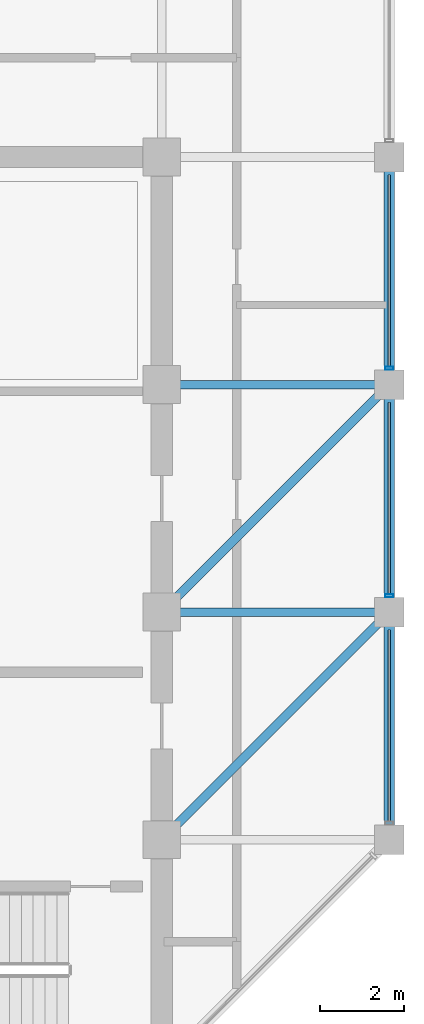
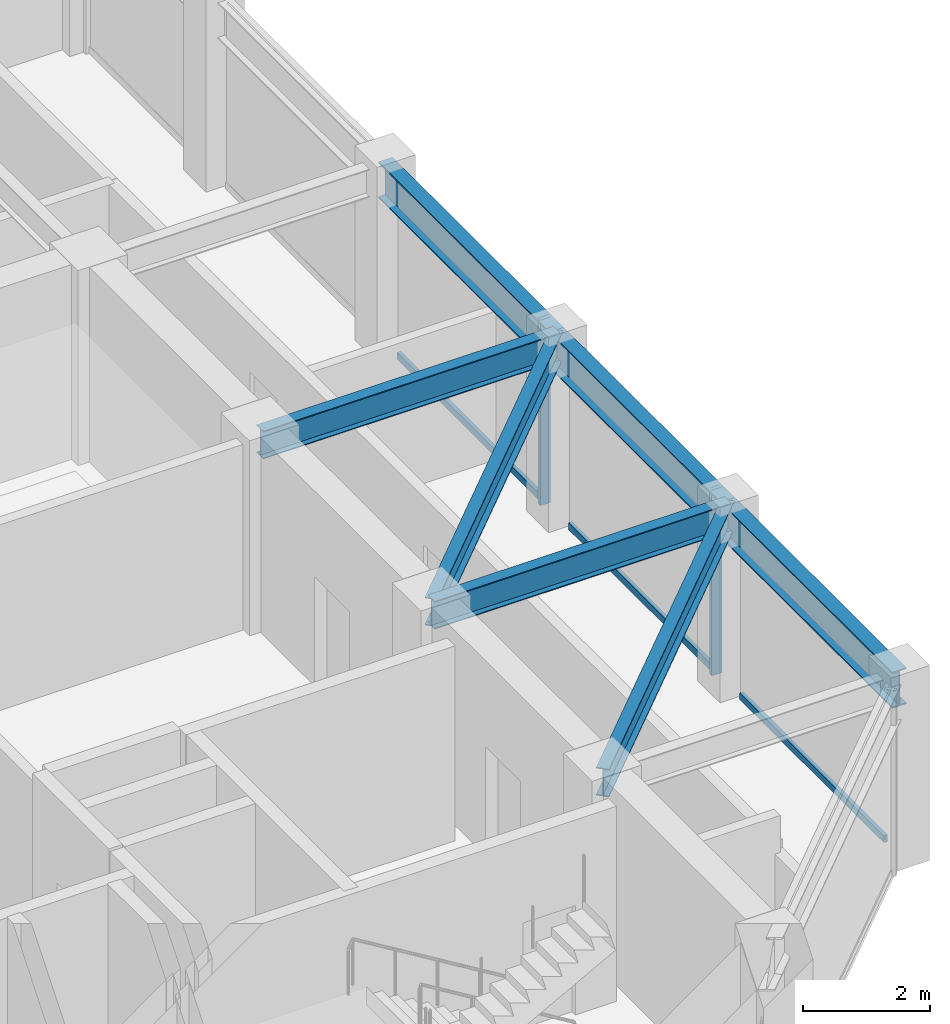
# One storey, part 13 of 30: 7 beams, 5 members, 1 element without a shape of its own.
"""IFC4 building model written with IfcOpenShell, lengths in metres."""

from ifc_helpers import new_model, si_unit, direction, frame, origin, origin_2d, place, context, subcontext, project, spatial, hollow_rectangle, i_section, extrude, material, layer, layer_set, material_profile, profile_set, type_object, element, aggregate, save


model = new_model("IFC4")

# Units and contexts
model_context = context("Model", 3, precision=1e-05, world=origin(), true_north=direction((0.0, 1.0)))
body_context = subcontext(model_context, "Body", "Model", "MODEL_VIEW")
ifc_project = project(units=[si_unit("LENGTHUNIT", "METRE"), si_unit("AREAUNIT", "SQUARE_METRE"), si_unit("VOLUMEUNIT", "CUBIC_METRE"), si_unit("PLANEANGLEUNIT", "RADIAN"), si_unit("MASSUNIT", "GRAM", prefix="KILO")], contexts=[model_context])

# Site, building, storey
site_placement = place(None, origin())
site = spatial("IfcSite", under=ifc_project, at=site_placement, CompositionType="ELEMENT")
building_placement = place(site_placement, origin())
building = spatial("IfcBuilding", under=site, at=building_placement, Name="Surkhivell Harbour Commons", CompositionType="ELEMENT")
storey_placement = place(building_placement, frame((0.0, 0.0, 296.25)))
storey = spatial("IfcBuildingStorey", under=building, at=storey_placement, Name="L77", CompositionType="ELEMENT", Elevation=296.25)

# Beams
ifc_material_1 = material(Name="Steel S355", Category="steel")
ifc_material_profile_1 = material_profile(ifc_material_1, i_section(OverallWidth=0.2099609375, OverallDepth=0.537109375, WebThickness=0.0107421875, FlangeThickness=0.017333984375, at=origin_2d()), Name="UB533x210x101")
ifc_profile_set_1 = profile_set([ifc_material_profile_1], Name="Steel S355")
beam_type_1 = type_object("IfcBeamType", Name="BM-GRD-533B", PredefinedType="BEAM", material=ifc_profile_set_1)
beam_1_placement = place(storey_placement, frame((10.800048828125, -5.39990234375, 3.301513671875), z_axis=(0.707106781187, 0.707106781187, 0.0), x_axis=(-0.707106781187, 0.707106781187, 0.0)))
element("IfcBeam", 1, at=beam_1_placement, inside=storey, type_object=beam_type_1, Name="L77 Floor Girder (10.8,-5.4)", PredefinedType="BEAM", context=body_context, shape_type="SweptSolid", body=[
    extrude(i_section(OverallWidth=0.2099609375, OverallDepth=0.537109375, WebThickness=0.0107421875, FlangeThickness=0.017333984375, at=origin_2d()), origin(), (0.0, 0.0, 1.0), 7.63671875),
])
beam_2_placement = place(storey_placement, frame((10.800048828125, 0.0, 3.301513671875), z_axis=(1.0, 0.0, 0.0), x_axis=(0.0, 1.0, 0.0)))
element("IfcBeam", 2, at=beam_2_placement, inside=storey, type_object=beam_type_1, Name="L77 Floor Girder (10.8,0.0)", PredefinedType="BEAM", context=body_context, shape_type="SweptSolid", body=[
    extrude(i_section(OverallWidth=0.2099609375, OverallDepth=0.537109375, WebThickness=0.0107421875, FlangeThickness=0.017333984375, at=origin_2d()), origin(), (0.0, 0.0, 1.0), 5.39990234375),
])
beam_3_placement = place(storey_placement, frame((10.800048828125, 0.0, 3.301513671875), z_axis=(0.707106781187, 0.707106781187, 0.0), x_axis=(-0.707106781187, 0.707106781187, 0.0)))
element("IfcBeam", 3, at=beam_3_placement, inside=storey, type_object=beam_type_1, Name="L77 Floor Girder (10.8,0.0)", PredefinedType="BEAM", context=body_context, shape_type="SweptSolid", body=[
    extrude(i_section(OverallWidth=0.2099609375, OverallDepth=0.537109375, WebThickness=0.0107421875, FlangeThickness=0.017333984375, at=origin_2d()), origin(), (0.0, 0.0, 1.0), 7.63671875),
])
beam_4_placement = place(storey_placement, frame((10.800048828125, 5.39990234375, 3.301513671875), z_axis=(1.0, 0.0, 0.0), x_axis=(0.0, 1.0, 0.0)))
element("IfcBeam", 4, at=beam_4_placement, inside=storey, type_object=beam_type_1, Name="L77 Floor Girder (10.8,5.4)", PredefinedType="BEAM", context=body_context, shape_type="SweptSolid", body=[
    extrude(i_section(OverallWidth=0.2099609375, OverallDepth=0.537109375, WebThickness=0.0107421875, FlangeThickness=0.017333984375, at=origin_2d()), origin(), (0.0, 0.0, 1.0), 5.39990234375),
])
ifc_material_profile_2 = material_profile(ifc_material_1, i_section(OverallWidth=0.256103515625, OverallDepth=0.693115234375, WebThickness=0.014404296875, FlangeThickness=0.023681640625, at=origin_2d()), Name="UB686x254x170")
ifc_profile_set_2 = profile_set([ifc_material_profile_2], Name="Steel S355")
beam_type_2 = type_object("IfcBeamType", Name="BM-SPN-686", PredefinedType="SPANDREL", material=ifc_profile_set_2)
for number, where, z_axis, x_axis, name in (
    (5, (16.199951171875, -5.39990234375, 3.223388671875), (0.0, 1.0, 0.0), (-1.0, 0.0, 0.0), "L77 Tube Spandrel (16.2,-5.4)"),
    (6, (16.199951171875, 0.0, 3.223388671875), (0.0, 1.0, 0.0), (-1.0, 0.0, 0.0), "L77 Tube Spandrel (16.2,0.0)"),
):
    element("IfcBeam", number, at=place(storey_placement, frame(where, z_axis=z_axis, x_axis=x_axis)), inside=storey, type_object=beam_type_2, Name=name, PredefinedType="SPANDREL", context=body_context, shape_type="SweptSolid", body=[
        extrude(i_section(OverallWidth=0.256103515625, OverallDepth=0.693115234375, WebThickness=0.014404296875, FlangeThickness=0.023681640625, at=origin_2d()), origin(), (0.0, 0.0, 1.0), 5.39990234375),
    ])
beam_5_placement = place(storey_placement, frame((16.199951171875, 5.39990234375, 3.223388671875), z_axis=(0.0, 1.0, 0.0), x_axis=(-1.0, 0.0, 0.0)))
element("IfcBeam", 7, at=beam_5_placement, inside=storey, type_object=beam_type_2, Name="L77 Tube Spandrel (16.2,5.4)", PredefinedType="SPANDREL", context=body_context, shape_type="SweptSolid", body=[
    extrude(i_section(OverallWidth=0.256103515625, OverallDepth=0.693115234375, WebThickness=0.014404296875, FlangeThickness=0.023681640625, at=origin_2d()), origin(), (0.0, 0.0, 1.0), 5.400146484375),
])

# Curtain wall, members
ifc_material_2 = material(Name="Anodised pale-metal aluminium and insulated glazing", Category="aluminium")
ifc_layer = layer(ifc_material_2, 0.175048828125)
ifc_layer_set = layer_set([ifc_layer], Name="Anodised pale-metal aluminium and insulated glazing")
curtain_wall_type = type_object("IfcCurtainWallType", Name="CW-SYS-Z4", PredefinedType="NOTDEFINED", material=ifc_layer_set)
curtain_wall_placement = place(storey_placement, origin())
curtain_wall = element("IfcCurtainWall", 8, at=curtain_wall_placement, inside=storey, type_object=curtain_wall_type, Name="L77 Curtain Wall CW-L77-E02", PredefinedType="NOTDEFINED")
ifc_material_3 = material(Name="Anodised pale-metal aluminium alloy 6063-T6", Category="aluminium")
ifc_material_profile_3 = material_profile(ifc_material_3, hollow_rectangle(XDim=0.074951171875, YDim=0.18994140625, WallThickness=0.00390625, at=origin_2d()), Name="ALU-MULL-75x190")
ifc_profile_set_3 = profile_set([ifc_material_profile_3], Name="Anodised pale-metal aluminium alloy 6063-T6")
member_type_1 = type_object("IfcMemberType", Name="CWM-190", PredefinedType="MULLION", material=ifc_profile_set_3)
member_1_placement = place(storey_placement, frame((16.199951171875, 0.389404296875, 0.0), z_axis=(0.0, 0.0, 1.0), x_axis=(0.0, 1.0, 0.0)))
member_1 = element("IfcMember", 9, at=member_1_placement, type_object=member_type_1, Name="CW-Z4 mullion 2", PredefinedType="MULLION", context=body_context, shape_type="SweptSolid", body=[
    extrude(hollow_rectangle(XDim=0.074951171875, YDim=0.18994140625, WallThickness=0.00390625, at=origin_2d()), origin(), (0.0, 0.0, 1.0), 3.570068359375),
])
member_2_placement = place(storey_placement, frame((16.199951171875, 5.78955078125, 0.0), z_axis=(0.0, 0.0, 1.0), x_axis=(0.0, 1.0, 0.0)))
member_2 = element("IfcMember", 10, at=member_2_placement, type_object=member_type_1, Name="CW-Z4 mullion 3", PredefinedType="MULLION", context=body_context, shape_type="SweptSolid", body=[
    extrude(hollow_rectangle(XDim=0.074951171875, YDim=0.18994140625, WallThickness=0.00390625, at=origin_2d()), origin(), (0.0, 0.0, 1.0), 3.570068359375),
])
ifc_material_4 = material(Name="Champagne anodised aluminium alloy 6063-T6", Category="aluminium")
ifc_material_profile_4 = material_profile(ifc_material_4, hollow_rectangle(XDim=0.070068359375, YDim=0.1298828125, WallThickness=0.00341796875, at=origin_2d()), Name="ALU-TRAN-70x130")
ifc_profile_set_4 = profile_set([ifc_material_profile_4], Name="Champagne anodised aluminium alloy 6063-T6")
member_type_2 = type_object("IfcMemberType", Name="CWT-130", PredefinedType="USERDEFINED", material=ifc_profile_set_4)
member_3_placement = place(storey_placement, frame((16.199951171875, -4.972900390625, 0.06494140625), z_axis=(0.0, 1.0, 0.0), x_axis=(-1.0, 0.0, 0.0)))
member_3 = element("IfcMember", 11, at=member_3_placement, type_object=member_type_2, Name="CW-Z4 transom 1.1", ObjectType="TRANSOM", PredefinedType="USERDEFINED", context=body_context, shape_type="SweptSolid", body=[
    extrude(hollow_rectangle(XDim=0.070068359375, YDim=0.1298828125, WallThickness=0.00341796875, at=origin_2d()), origin(), (0.0, 0.0, 1.0), 4.5458984375),
])
member_4_placement = place(storey_placement, frame((16.199951171875, 0.427001953125, 0.06494140625), z_axis=(0.0, 1.0, 0.0), x_axis=(-1.0, 0.0, 0.0)))
member_4 = element("IfcMember", 12, at=member_4_placement, type_object=member_type_2, Name="CW-Z4 transom 2.1", ObjectType="TRANSOM", PredefinedType="USERDEFINED", context=body_context, shape_type="SweptSolid", body=[
    extrude(hollow_rectangle(XDim=0.070068359375, YDim=0.1298828125, WallThickness=0.00341796875, at=origin_2d()), origin(), (0.0, 0.0, 1.0), 4.5458984375),
])
member_5_placement = place(storey_placement, frame((16.199951171875, 5.826904296875, 0.06494140625), z_axis=(0.0, 1.0, 0.0), x_axis=(-1.0, 0.0, 0.0)))
member_5 = element("IfcMember", 13, at=member_5_placement, type_object=member_type_2, Name="CW-Z4 transom 3.1", ObjectType="TRANSOM", PredefinedType="USERDEFINED", context=body_context, shape_type="SweptSolid", body=[
    extrude(hollow_rectangle(XDim=0.070068359375, YDim=0.1298828125, WallThickness=0.00341796875, at=origin_2d()), origin(), (0.0, 0.0, 1.0), 4.546142578125),
])
aggregate(curtain_wall, [member_3, member_1, member_4, member_2, member_5])

save(model, "model.ifc")
